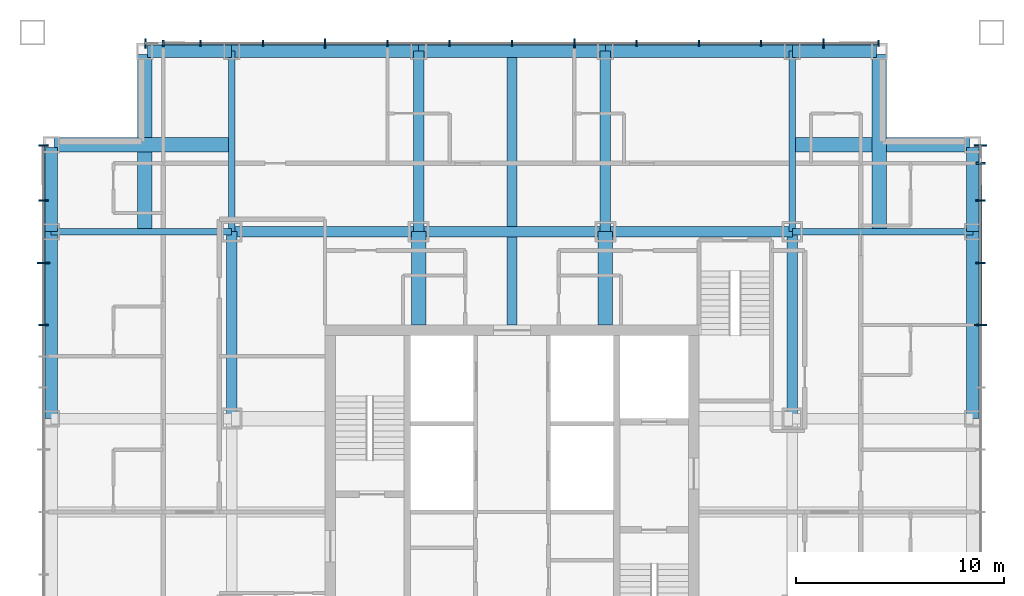
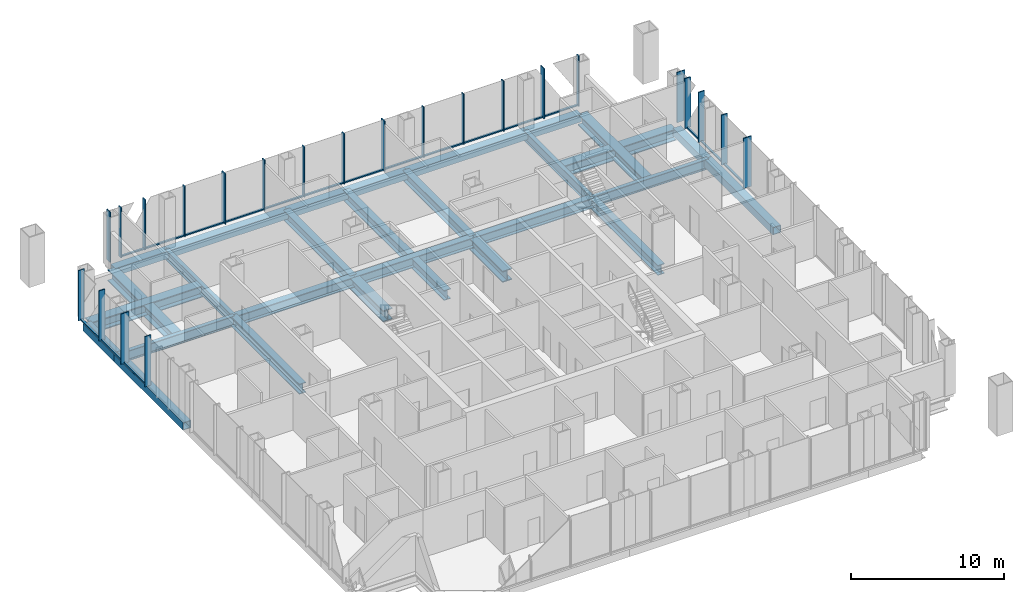
# One storey, part 4 of 15: 41 members, 27 beams, 3 elements without a shape of their own.
"""IFC4 building model written with IfcOpenShell, lengths in metres."""

import ifcopenshell
import ifcopenshell.guid

model = None  # the IFC model being written
_history = None  # IfcOwnerHistory: only IFC2X3 demands one
_inside = {}  # id of a spatial element -> (the spatial element, [elements in it])
_under = {}  # id of a project, library or spatial element -> (it, [spatial elements below it])
_declared = {}  # id of a project -> (the project, [libraries it declares])
_typed = {}  # id of a type object -> (the type object, [elements of that type])
_made_of = {}  # id of a material, layer set ... -> (it, [elements and type objects made of it])


def new_model(schema):
    """Start an empty IFC model of exactly this schema.

    Asked for "IFC4X3", IfcOpenShell would pick the latest addendum, in which some entities
    have other attributes; the version numbers below select the first issue.
    IFC2X3 requires an IfcOwnerHistory on every rooted entity: one is made here for all.
    """
    global model, _history
    if schema == "IFC4X3":
        model = ifcopenshell.file(schema_version=(4, 3, 0, 0))
    else:
        model = ifcopenshell.file(schema=schema)
    _inside.clear()
    _under.clear()
    _declared.clear()
    _typed.clear()
    _made_of.clear()
    _history = None
    if model.schema == "IFC2X3":
        org = make("IfcOrganization", Name="unknown")
        user = make(
            "IfcPersonAndOrganization",
            ThePerson=make("IfcPerson", FamilyName="unknown"),
            TheOrganization=org,
        )
        app = make(
            "IfcApplication",
            ApplicationDeveloper=org,
            Version="unknown",
            ApplicationFullName="unknown",
            ApplicationIdentifier="unknown",
        )
        _history = make(
            "IfcOwnerHistory",
            OwningUser=user,
            OwningApplication=app,
            ChangeAction="ADDED",
            CreationDate=0,
        )
    return model


def make(cls, **values):
    """One entity of the class cls with the attributes given. An attribute that is None is left unset."""
    return model.create_entity(
        cls, **{name: value for name, value in values.items() if value is not None}
    )


def rooted(cls, **values):
    """An entity with a GlobalId (a new one), such as an element, a storey or a relation."""
    return make(cls, GlobalId=ifcopenshell.guid.new(), OwnerHistory=_history, **values)


def si_unit(unit_type, name, prefix=None):
    """IfcSIUnit, for example si_unit("LENGTHUNIT", "METRE", prefix="MILLI")."""
    return make("IfcSIUnit", UnitType=unit_type, Prefix=prefix, Name=name)


def assignment(units):
    """IfcUnitAssignment: the units of a project."""
    return None if units is None else make("IfcUnitAssignment", Units=units)


def point(xyz):
    """IfcCartesianPoint."""
    return None if xyz is None else make("IfcCartesianPoint", Coordinates=xyz)


def direction(xyz):
    """IfcDirection."""
    return None if xyz is None else make("IfcDirection", DirectionRatios=xyz)


def frame(location, z_axis=None, x_axis=None):
    """IfcAxis2Placement3D, a coordinate frame: its origin and axes. An axis left out is left unset."""
    return make(
        "IfcAxis2Placement3D",
        Location=point(location),
        Axis=direction(z_axis),
        RefDirection=direction(x_axis),
    )


def frame_2d(location, x_axis=None):
    """IfcAxis2Placement2D, a coordinate frame in the plane: its origin and x axis."""
    return make(
        "IfcAxis2Placement2D", Location=point(location), RefDirection=direction(x_axis)
    )


def origin():
    """The frame at (0, 0, 0) with its axes left unset."""
    return frame((0.0, 0.0, 0.0))


def origin_2d():
    """The frame at (0, 0) in the plane with its x axis left unset."""
    return frame_2d((0.0, 0.0))


def place(relative_to, where):
    """IfcLocalPlacement: puts the frame where relative to a parent placement (None: the world)."""
    return make(
        "IfcLocalPlacement", PlacementRelTo=relative_to, RelativePlacement=where
    )


def context(
    kind, dimensions, precision=None, world=None, true_north=None, identifier=None
):
    """IfcGeometricRepresentationContext, for example the 3D "Model" context."""
    return make(
        "IfcGeometricRepresentationContext",
        ContextIdentifier=identifier,
        ContextType=kind,
        CoordinateSpaceDimension=dimensions,
        Precision=precision,
        WorldCoordinateSystem=world,
        TrueNorth=true_north,
    )


def subcontext(parent, identifier, kind, view, scale=None):
    """IfcGeometricRepresentationSubContext, for example "Body" below "Model"."""
    return make(
        "IfcGeometricRepresentationSubContext",
        ContextIdentifier=identifier,
        ContextType=kind,
        ParentContext=parent,
        TargetScale=scale,
        TargetView=view,
    )


def project(units=None, contexts=None):
    """IfcProject with its units and contexts."""
    return rooted(
        "IfcProject",
        Name="project",
        RepresentationContexts=contexts,
        UnitsInContext=assignment(units),
    )


def spatial(cls, under=None, at=None, **own):
    """A site, building, storey or space (cls), placed at a placement, below another one or the project."""
    s = rooted(cls, ObjectPlacement=at, **own)
    if under is not None:
        _under.setdefault(under.id(), (under, []))[1].append(s)
    return s


def profile(cls, at=None, kind="AREA", **sizes):
    """A parametric profile (cls). Its sizes go by their IFC names, for example OverallWidth=200.0."""
    return make(cls, ProfileType=kind, Position=at, **sizes)


def rectangle(**sizes):
    """IfcRectangleProfileDef."""
    return profile("IfcRectangleProfileDef", **sizes)


def hollow_rectangle(**sizes):
    """IfcRectangleHollowProfileDef."""
    return profile("IfcRectangleHollowProfileDef", **sizes)


def i_section(**sizes):
    """IfcIShapeProfileDef."""
    return profile("IfcIShapeProfileDef", **sizes)


def extrude(swept, where, along, depth):
    """IfcExtrudedAreaSolid: the profile swept, set in the frame where, extruded along a direction by depth."""
    return make(
        "IfcExtrudedAreaSolid",
        SweptArea=swept,
        Position=where,
        ExtrudedDirection=direction(along),
        Depth=depth,
    )


def shape(context_of_items, identifier, shape_type, items):
    """IfcShapeRepresentation: the items that make up one representation, for example the "Body"."""
    return make(
        "IfcShapeRepresentation",
        ContextOfItems=context_of_items,
        RepresentationIdentifier=identifier,
        RepresentationType=shape_type,
        Items=items,
    )


def material(Name=None, Category=None):
    """IfcMaterial."""
    return make("IfcMaterial", Name=Name, Category=Category)


def layer(
    of_material, thickness, ventilated=None, Name=None, Category=None, Priority=None
):
    """IfcMaterialLayer: one layer of a wall or slab, of a material (None: an air gap)."""
    return make(
        "IfcMaterialLayer",
        Material=of_material,
        LayerThickness=thickness,
        IsVentilated=ventilated,
        Name=Name,
        Category=Category,
        Priority=Priority,
    )


def layer_set(layers, Name=None):
    """IfcMaterialLayerSet."""
    return make("IfcMaterialLayerSet", MaterialLayers=layers, LayerSetName=Name)


def material_profile(
    of_material, cross_section, Name=None, Category=None, Priority=None
):
    """IfcMaterialProfile: a cross section and its material."""
    return make(
        "IfcMaterialProfile",
        Name=Name,
        Material=of_material,
        Profile=cross_section,
        Priority=Priority,
        Category=Category,
    )


def profile_set(profiles, Name=None, composite=None):
    """IfcMaterialProfileSet."""
    return make(
        "IfcMaterialProfileSet",
        Name=Name,
        MaterialProfiles=profiles,
        CompositeProfile=composite,
    )


def made_of(thing, what):
    """Note that an element or type object is made of a material, layer set ...; save() writes the relation."""
    if what is not None:
        _made_of.setdefault(what.id(), (what, []))[1].append(thing)
    return thing


def type_object(cls, material=None, **own):
    """A type object (cls), such as IfcWallType, which elements share."""
    return made_of(rooted(cls, **own), material)


def element(
    cls,
    number,
    at=None,
    inside=None,
    cuts=None,
    type_object=None,
    material=None,
    context=None,
    identifier="Body",
    shape_type=None,
    held_by="IfcProductDefinitionShape",
    body=None,
    shapes=None,
    **own,
):
    """One element of the class cls, such as IfcWall. Its Tag is "e" and its number.

    at: its placement. inside: the storey or other place that contains it. cuts: it is an
    opening in that element (IfcRelVoidsElement). A single representation is given by context,
    identifier, shape_type and body (its items); several are given by shapes. held_by: the class
    of the entity that holds the representations. save() writes the other relations.
    """
    e = rooted(cls, Tag="e%d" % number, ObjectPlacement=at, **own)
    if body is not None:
        shapes = [shape(context, identifier, shape_type, body)]
    if shapes is not None:
        e.Representation = make(held_by, Representations=shapes)
    if inside is not None:
        _inside.setdefault(inside.id(), (inside, []))[1].append(e)
    if cuts is not None:
        rooted(
            "IfcRelVoidsElement", RelatingBuildingElement=cuts, RelatedOpeningElement=e
        )
    if type_object is not None:
        _typed.setdefault(type_object.id(), (type_object, []))[1].append(e)
    return made_of(e, material)


def aggregate(whole, parts):
    """IfcRelAggregates: a whole, such as a stair, and the parts it consists of."""
    return rooted("IfcRelAggregates", RelatingObject=whole, RelatedObjects=parts)


def save(model, path):
    """Write the relations noted so far, then the file.

    IfcRelAggregates (storeys below a building ...), IfcRelContainedInSpatialStructure (elements
    in a storey), IfcRelDefinesByType, IfcRelAssociatesMaterial and IfcRelDeclares: one each for
    every whole, place, type object, material and project.
    """
    for whole, parts in _under.values():
        aggregate(whole, parts)
    for where, things in _inside.values():
        rooted(
            "IfcRelContainedInSpatialStructure",
            RelatedElements=things,
            RelatingStructure=where,
        )
    for kind, things in _typed.values():
        rooted("IfcRelDefinesByType", RelatedObjects=things, RelatingType=kind)
    for what, things in _made_of.values():
        rooted("IfcRelAssociatesMaterial", RelatedObjects=things, RelatingMaterial=what)
    for by, libraries in _declared.values():
        rooted("IfcRelDeclares", RelatingContext=by, RelatedDefinitions=libraries)
    model.write(path)


model = new_model("IFC4")

# Units and contexts
model_context = context("Model", 3, precision=1e-05, world=origin(), true_north=direction((0.0, 1.0)))
body_context = subcontext(model_context, "Body", "Model", "MODEL_VIEW")
ifc_project = project(units=[si_unit("LENGTHUNIT", "METRE"), si_unit("AREAUNIT", "SQUARE_METRE"), si_unit("VOLUMEUNIT", "CUBIC_METRE"), si_unit("PLANEANGLEUNIT", "RADIAN"), si_unit("MASSUNIT", "GRAM", prefix="KILO")], contexts=[model_context])

# Site, building, storey
site_placement = place(None, origin())
site = spatial("IfcSite", under=ifc_project, at=site_placement, CompositionType="ELEMENT")
building_placement = place(site_placement, origin())
building = spatial("IfcBuilding", under=site, at=building_placement, Name="Malebo Sky Hospital", CompositionType="ELEMENT")
storey_placement = place(building_placement, frame((0.0, 0.0, 217.0)))
storey = spatial("IfcBuildingStorey", under=building, at=storey_placement, Name="L52", CompositionType="ELEMENT", Elevation=217.0)

# Curtain wall, members
ifc_material_1 = material(Name="Anodised aluminium, natural silver", Category="aluminium")
ifc_layer_1 = layer(ifc_material_1, 0.25)
ifc_layer_set_1 = layer_set([ifc_layer_1], Name="WARD CURTAIN WALL NORTH AND SOUTH")
curtain_wall_type_1 = type_object("IfcCurtainWallType", Name="WARD CURTAIN WALL NORTH AND SOUTH", PredefinedType="NOTDEFINED", material=ifc_layer_set_1)
curtain_wall_1_placement = place(storey_placement, origin())
curtain_wall_1 = element("IfcCurtainWall", 1, at=curtain_wall_1_placement, inside=storey, type_object=curtain_wall_type_1, Name="NS curtain wall N", PredefinedType="NOTDEFINED")
ifc_material_profile_1 = material_profile(ifc_material_1, rectangle(XDim=0.14990234375, YDim=0.10009765625, at=origin_2d()), Name="ALUMINIUM TRANSOM 150x100")
ifc_profile_set_1 = profile_set([ifc_material_profile_1], Name="Anodised aluminium, natural silver")
member_type_1 = type_object("IfcMemberType", Name="ALUMINIUM TRANSOM 150x100", PredefinedType="USERDEFINED", material=ifc_profile_set_1)
member_1_placement = place(storey_placement, frame((43.237548828125, 84.574951171875, 0.050048828125), z_axis=(1.0, 0.0, 0.0), x_axis=(0.0, 1.0, 0.0)))
member_1 = element("IfcMember", 2, at=member_1_placement, type_object=member_type_1, Name="Transom 2", ObjectType="TRANSOM", PredefinedType="USERDEFINED", context=body_context, shape_type="SweptSolid", body=[
    extrude(rectangle(XDim=0.14990234375, YDim=0.10009765625, at=origin_2d()), origin(), (0.0, 0.0, 1.0), 1.724853515625),
])
member_2_placement = place(storey_placement, frame((45.03759765625, 84.574951171875, 0.050048828125), z_axis=(1.0, 0.0, 0.0), x_axis=(0.0, 1.0, 0.0)))
member_2 = element("IfcMember", 3, at=member_2_placement, type_object=member_type_1, Name="Transom 3", ObjectType="TRANSOM", PredefinedType="USERDEFINED", context=body_context, shape_type="SweptSolid", body=[
    extrude(rectangle(XDim=0.14990234375, YDim=0.10009765625, at=origin_2d()), origin(), (0.0, 0.0, 1.0), 2.9248046875),
])
member_3_placement = place(storey_placement, frame((48.03759765625, 84.574951171875, 0.050048828125), z_axis=(1.0, 0.0, 0.0), x_axis=(0.0, 1.0, 0.0)))
member_3 = element("IfcMember", 4, at=member_3_placement, type_object=member_type_1, Name="Transom 4", ObjectType="TRANSOM", PredefinedType="USERDEFINED", context=body_context, shape_type="SweptSolid", body=[
    extrude(rectangle(XDim=0.14990234375, YDim=0.10009765625, at=origin_2d()), origin(), (0.0, 0.0, 1.0), 2.9248046875),
])
member_4_placement = place(storey_placement, frame((51.03759765625, 84.574951171875, 0.050048828125), z_axis=(1.0, 0.0, 0.0), x_axis=(0.0, 1.0, 0.0)))
member_4 = element("IfcMember", 5, at=member_4_placement, type_object=member_type_1, Name="Transom 5", ObjectType="TRANSOM", PredefinedType="USERDEFINED", context=body_context, shape_type="SweptSolid", body=[
    extrude(rectangle(XDim=0.14990234375, YDim=0.10009765625, at=origin_2d()), origin(), (0.0, 0.0, 1.0), 2.9248046875),
])
member_5_placement = place(storey_placement, frame((54.03759765625, 84.574951171875, 0.050048828125), z_axis=(1.0, 0.0, 0.0), x_axis=(0.0, 1.0, 0.0)))
member_5 = element("IfcMember", 6, at=member_5_placement, type_object=member_type_1, Name="Transom 6", ObjectType="TRANSOM", PredefinedType="USERDEFINED", context=body_context, shape_type="SweptSolid", body=[
    extrude(rectangle(XDim=0.14990234375, YDim=0.10009765625, at=origin_2d()), origin(), (0.0, 0.0, 1.0), 2.9248046875),
])
member_6_placement = place(storey_placement, frame((57.03759765625, 84.574951171875, 0.050048828125), z_axis=(1.0, 0.0, 0.0), x_axis=(0.0, 1.0, 0.0)))
member_6 = element("IfcMember", 7, at=member_6_placement, type_object=member_type_1, Name="Transom 7", ObjectType="TRANSOM", PredefinedType="USERDEFINED", context=body_context, shape_type="SweptSolid", body=[
    extrude(rectangle(XDim=0.14990234375, YDim=0.10009765625, at=origin_2d()), origin(), (0.0, 0.0, 1.0), 2.9248046875),
])
member_7_placement = place(storey_placement, frame((60.03759765625, 84.574951171875, 0.050048828125), z_axis=(1.0, 0.0, 0.0), x_axis=(0.0, 1.0, 0.0)))
member_7 = element("IfcMember", 8, at=member_7_placement, type_object=member_type_1, Name="Transom 8", ObjectType="TRANSOM", PredefinedType="USERDEFINED", context=body_context, shape_type="SweptSolid", body=[
    extrude(rectangle(XDim=0.14990234375, YDim=0.10009765625, at=origin_2d()), origin(), (0.0, 0.0, 1.0), 2.9248046875),
])
member_8_placement = place(storey_placement, frame((63.03759765625, 84.574951171875, 0.050048828125), z_axis=(1.0, 0.0, 0.0), x_axis=(0.0, 1.0, 0.0)))
member_8 = element("IfcMember", 9, at=member_8_placement, type_object=member_type_1, Name="Transom 9", ObjectType="TRANSOM", PredefinedType="USERDEFINED", context=body_context, shape_type="SweptSolid", body=[
    extrude(rectangle(XDim=0.14990234375, YDim=0.10009765625, at=origin_2d()), origin(), (0.0, 0.0, 1.0), 2.9248046875),
])
member_9_placement = place(storey_placement, frame((66.03759765625, 84.574951171875, 0.050048828125), z_axis=(1.0, 0.0, 0.0), x_axis=(0.0, 1.0, 0.0)))
member_9 = element("IfcMember", 10, at=member_9_placement, type_object=member_type_1, Name="Transom 10", ObjectType="TRANSOM", PredefinedType="USERDEFINED", context=body_context, shape_type="SweptSolid", body=[
    extrude(rectangle(XDim=0.14990234375, YDim=0.10009765625, at=origin_2d()), origin(), (0.0, 0.0, 1.0), 2.9248046875),
])
member_10_placement = place(storey_placement, frame((69.03759765625, 84.574951171875, 0.050048828125), z_axis=(1.0, 0.0, 0.0), x_axis=(0.0, 1.0, 0.0)))
member_10 = element("IfcMember", 11, at=member_10_placement, type_object=member_type_1, Name="Transom 11", ObjectType="TRANSOM", PredefinedType="USERDEFINED", context=body_context, shape_type="SweptSolid", body=[
    extrude(rectangle(XDim=0.14990234375, YDim=0.10009765625, at=origin_2d()), origin(), (0.0, 0.0, 1.0), 2.9248046875),
])
member_11_placement = place(storey_placement, frame((72.03759765625, 84.574951171875, 0.050048828125), z_axis=(1.0, 0.0, 0.0), x_axis=(0.0, 1.0, 0.0)))
member_11 = element("IfcMember", 12, at=member_11_placement, type_object=member_type_1, Name="Transom 12", ObjectType="TRANSOM", PredefinedType="USERDEFINED", context=body_context, shape_type="SweptSolid", body=[
    extrude(rectangle(XDim=0.14990234375, YDim=0.10009765625, at=origin_2d()), origin(), (0.0, 0.0, 1.0), 2.9248046875),
])
member_12_placement = place(storey_placement, frame((75.03759765625, 84.574951171875, 0.050048828125), z_axis=(1.0, 0.0, 0.0), x_axis=(0.0, 1.0, 0.0)))
member_12 = element("IfcMember", 13, at=member_12_placement, type_object=member_type_1, Name="Transom 13", ObjectType="TRANSOM", PredefinedType="USERDEFINED", context=body_context, shape_type="SweptSolid", body=[
    extrude(rectangle(XDim=0.14990234375, YDim=0.10009765625, at=origin_2d()), origin(), (0.0, 0.0, 1.0), 2.58740234375),
])

ifc_layer_2 = layer(ifc_material_1, 0.25)
ifc_layer_set_2 = layer_set([ifc_layer_2], Name="WARD CURTAIN WALL EAST AND WEST")
curtain_wall_type_2 = type_object("IfcCurtainWallType", Name="WARD CURTAIN WALL EAST AND WEST", PredefinedType="NOTDEFINED", material=ifc_layer_set_2)
curtain_wall_2_placement = place(storey_placement, origin())
curtain_wall_2 = element("IfcCurtainWall", 14, at=curtain_wall_2_placement, inside=storey, type_object=curtain_wall_type_2, Name="EW curtain wall W", PredefinedType="NOTDEFINED")
member_13_placement = place(storey_placement, frame((37.425048828125, 71.03759765625, 0.050048828125), z_axis=(0.0, 1.0, 0.0), x_axis=(-1.0, 0.0, 0.0)))
member_13 = element("IfcMember", 15, at=member_13_placement, type_object=member_type_1, Name="Transom 12", ObjectType="TRANSOM", PredefinedType="USERDEFINED", context=body_context, shape_type="SweptSolid", body=[
    extrude(rectangle(XDim=0.14990234375, YDim=0.10009765625, at=origin_2d()), origin(), (0.0, 0.0, 1.0), 2.9248046875),
])
member_14_placement = place(storey_placement, frame((37.425048828125, 74.03759765625, 0.050048828125), z_axis=(0.0, 1.0, 0.0), x_axis=(-1.0, 0.0, 0.0)))
member_14 = element("IfcMember", 16, at=member_14_placement, type_object=member_type_1, Name="Transom 13", ObjectType="TRANSOM", PredefinedType="USERDEFINED", context=body_context, shape_type="SweptSolid", body=[
    extrude(rectangle(XDim=0.14990234375, YDim=0.10009765625, at=origin_2d()), origin(), (0.0, 0.0, 1.0), 2.9248046875),
])
member_15_placement = place(storey_placement, frame((37.425048828125, 77.03759765625, 0.050048828125), z_axis=(0.0, 1.0, 0.0), x_axis=(-1.0, 0.0, 0.0)))
member_15 = element("IfcMember", 17, at=member_15_placement, type_object=member_type_1, Name="Transom 14", ObjectType="TRANSOM", PredefinedType="USERDEFINED", context=body_context, shape_type="SweptSolid", body=[
    extrude(rectangle(XDim=0.14990234375, YDim=0.10009765625, at=origin_2d()), origin(), (0.0, 0.0, 1.0), 2.58740234375),
])

curtain_wall_3_placement = place(storey_placement, origin())
curtain_wall_3 = element("IfcCurtainWall", 18, at=curtain_wall_3_placement, inside=storey, type_object=curtain_wall_type_2, Name="EW curtain wall E", PredefinedType="NOTDEFINED")
member_16_placement = place(storey_placement, frame((82.574951171875, 78.762451171875, 0.050048828125), z_axis=(0.0, -1.0, 0.0), x_axis=(1.0, 0.0, 0.0)))
member_16 = element("IfcMember", 19, at=member_16_placement, type_object=member_type_1, Name="Transom 2", ObjectType="TRANSOM", PredefinedType="USERDEFINED", context=body_context, shape_type="SweptSolid", body=[
    extrude(rectangle(XDim=0.14990234375, YDim=0.10009765625, at=origin_2d()), origin(), (0.0, 0.0, 1.0), 1.724853515625),
])
member_17_placement = place(storey_placement, frame((82.574951171875, 76.96240234375, 0.050048828125), z_axis=(0.0, -1.0, 0.0), x_axis=(1.0, 0.0, 0.0)))
member_17 = element("IfcMember", 20, at=member_17_placement, type_object=member_type_1, Name="Transom 3", ObjectType="TRANSOM", PredefinedType="USERDEFINED", context=body_context, shape_type="SweptSolid", body=[
    extrude(rectangle(XDim=0.14990234375, YDim=0.10009765625, at=origin_2d()), origin(), (0.0, 0.0, 1.0), 2.9248046875),
])
member_18_placement = place(storey_placement, frame((82.574951171875, 73.96240234375, 0.050048828125), z_axis=(0.0, -1.0, 0.0), x_axis=(1.0, 0.0, 0.0)))
member_18 = element("IfcMember", 21, at=member_18_placement, type_object=member_type_1, Name="Transom 4", ObjectType="TRANSOM", PredefinedType="USERDEFINED", context=body_context, shape_type="SweptSolid", body=[
    extrude(rectangle(XDim=0.14990234375, YDim=0.10009765625, at=origin_2d()), origin(), (0.0, 0.0, 1.0), 2.9248046875),
])

# Member
ifc_material_profile_2 = material_profile(ifc_material_1, rectangle(XDim=0.074951171875, YDim=0.300048828125, at=origin_2d()), Name="CW1 ALUMINIUM FIN MULLION 75x300")
ifc_profile_set_2 = profile_set([ifc_material_profile_2], Name="Anodised aluminium, natural silver")
member_type_2 = type_object("IfcMemberType", Name="CW1 ALUMINIUM FIN MULLION 75x300", PredefinedType="MULLION", material=ifc_profile_set_2)
member_19_placement = place(storey_placement, frame((43.199951171875, 84.574951171875, 0.0), z_axis=(0.0, 0.0, 1.0), x_axis=(1.0, 0.0, 0.0)))
member_19 = element("IfcMember", 22, at=member_19_placement, type_object=member_type_2, Name="Fin mullion 2", PredefinedType="MULLION", context=body_context, shape_type="SweptSolid", body=[
    extrude(rectangle(XDim=0.074951171875, YDim=0.300048828125, at=origin_2d()), origin(), (0.0, 0.0, 1.0), 4.0),
])

member_20_placement = place(storey_placement, frame((45.0, 84.574951171875, 0.0), z_axis=(0.0, 0.0, 1.0), x_axis=(1.0, 0.0, 0.0)))
member_20 = element("IfcMember", 23, at=member_20_placement, type_object=member_type_2, Name="Fin mullion 3", PredefinedType="MULLION", context=body_context, shape_type="SweptSolid", body=[
    extrude(rectangle(XDim=0.074951171875, YDim=0.300048828125, at=origin_2d()), origin(), (0.0, 0.0, 1.0), 4.0),
])

member_21_placement = place(storey_placement, frame((48.0, 84.574951171875, 0.0), z_axis=(0.0, 0.0, 1.0), x_axis=(1.0, 0.0, 0.0)))
member_21 = element("IfcMember", 24, at=member_21_placement, type_object=member_type_2, Name="Fin mullion 4", PredefinedType="MULLION", context=body_context, shape_type="SweptSolid", body=[
    extrude(rectangle(XDim=0.074951171875, YDim=0.300048828125, at=origin_2d()), origin(), (0.0, 0.0, 1.0), 4.0),
])

member_22_placement = place(storey_placement, frame((54.0, 84.574951171875, 0.0), z_axis=(0.0, 0.0, 1.0), x_axis=(1.0, 0.0, 0.0)))
member_22 = element("IfcMember", 25, at=member_22_placement, type_object=member_type_2, Name="Fin mullion 6", PredefinedType="MULLION", context=body_context, shape_type="SweptSolid", body=[
    extrude(rectangle(XDim=0.074951171875, YDim=0.300048828125, at=origin_2d()), origin(), (0.0, 0.0, 1.0), 4.0),
])

member_23_placement = place(storey_placement, frame((57.0, 84.574951171875, 0.0), z_axis=(0.0, 0.0, 1.0), x_axis=(1.0, 0.0, 0.0)))
member_23 = element("IfcMember", 26, at=member_23_placement, type_object=member_type_2, Name="Fin mullion 7", PredefinedType="MULLION", context=body_context, shape_type="SweptSolid", body=[
    extrude(rectangle(XDim=0.074951171875, YDim=0.300048828125, at=origin_2d()), origin(), (0.0, 0.0, 1.0), 4.0),
])

member_24_placement = place(storey_placement, frame((60.0, 84.574951171875, 0.0), z_axis=(0.0, 0.0, 1.0), x_axis=(1.0, 0.0, 0.0)))
member_24 = element("IfcMember", 27, at=member_24_placement, type_object=member_type_2, Name="Fin mullion 8", PredefinedType="MULLION", context=body_context, shape_type="SweptSolid", body=[
    extrude(rectangle(XDim=0.074951171875, YDim=0.300048828125, at=origin_2d()), origin(), (0.0, 0.0, 1.0), 4.0),
])

member_25_placement = place(storey_placement, frame((66.0, 84.574951171875, 0.0), z_axis=(0.0, 0.0, 1.0), x_axis=(1.0, 0.0, 0.0)))
member_25 = element("IfcMember", 28, at=member_25_placement, type_object=member_type_2, Name="Fin mullion 10", PredefinedType="MULLION", context=body_context, shape_type="SweptSolid", body=[
    extrude(rectangle(XDim=0.074951171875, YDim=0.300048828125, at=origin_2d()), origin(), (0.0, 0.0, 1.0), 4.0),
])

member_26_placement = place(storey_placement, frame((69.0, 84.574951171875, 0.0), z_axis=(0.0, 0.0, 1.0), x_axis=(1.0, 0.0, 0.0)))
member_26 = element("IfcMember", 29, at=member_26_placement, type_object=member_type_2, Name="Fin mullion 11", PredefinedType="MULLION", context=body_context, shape_type="SweptSolid", body=[
    extrude(rectangle(XDim=0.074951171875, YDim=0.300048828125, at=origin_2d()), origin(), (0.0, 0.0, 1.0), 4.0),
])

member_27_placement = place(storey_placement, frame((72.0, 84.574951171875, 0.0), z_axis=(0.0, 0.0, 1.0), x_axis=(1.0, 0.0, 0.0)))
member_27 = element("IfcMember", 30, at=member_27_placement, type_object=member_type_2, Name="Fin mullion 12", PredefinedType="MULLION", context=body_context, shape_type="SweptSolid", body=[
    extrude(rectangle(XDim=0.074951171875, YDim=0.300048828125, at=origin_2d()), origin(), (0.0, 0.0, 1.0), 4.0),
])

member_28_placement = place(storey_placement, frame((77.66259765625, 84.574951171875, 0.0), z_axis=(0.0, 0.0, 1.0), x_axis=(1.0, 0.0, 0.0)))
member_28 = element("IfcMember", 31, at=member_28_placement, type_object=member_type_2, Name="Fin mullion 14", PredefinedType="MULLION", context=body_context, shape_type="SweptSolid", body=[
    extrude(rectangle(XDim=0.074951171875, YDim=0.300048828125, at=origin_2d()), origin(), (0.0, 0.0, 1.0), 4.0),
])

ifc_material_profile_3 = material_profile(ifc_material_1, rectangle(XDim=0.074951171875, YDim=0.449951171875, at=origin_2d()), Name="CW1 ALUMINIUM FIN MULLION 75x450")
ifc_profile_set_3 = profile_set([ifc_material_profile_3], Name="Anodised aluminium, natural silver")
member_type_3 = type_object("IfcMemberType", Name="CW1 ALUMINIUM FIN MULLION 75x450", PredefinedType="MULLION", material=ifc_profile_set_3)
member_29_placement = place(storey_placement, frame((42.33740234375, 84.574951171875, 0.0), z_axis=(0.0, 0.0, 1.0), x_axis=(1.0, 0.0, 0.0)))
member_29 = element("IfcMember", 32, at=member_29_placement, type_object=member_type_3, Name="Fin mullion 1", PredefinedType="MULLION", context=body_context, shape_type="SweptSolid", body=[
    extrude(rectangle(XDim=0.074951171875, YDim=0.449951171875, at=origin_2d()), origin(), (0.0, 0.0, 1.0), 4.0),
])

member_30_placement = place(storey_placement, frame((51.0, 84.574951171875, 0.0), z_axis=(0.0, 0.0, 1.0), x_axis=(1.0, 0.0, 0.0)))
member_30 = element("IfcMember", 33, at=member_30_placement, type_object=member_type_3, Name="Fin mullion 5", PredefinedType="MULLION", context=body_context, shape_type="SweptSolid", body=[
    extrude(rectangle(XDim=0.074951171875, YDim=0.449951171875, at=origin_2d()), origin(), (0.0, 0.0, 1.0), 4.0),
])

member_31_placement = place(storey_placement, frame((63.0, 84.574951171875, 0.0), z_axis=(0.0, 0.0, 1.0), x_axis=(1.0, 0.0, 0.0)))
member_31 = element("IfcMember", 34, at=member_31_placement, type_object=member_type_3, Name="Fin mullion 9", PredefinedType="MULLION", context=body_context, shape_type="SweptSolid", body=[
    extrude(rectangle(XDim=0.074951171875, YDim=0.449951171875, at=origin_2d()), origin(), (0.0, 0.0, 1.0), 4.0),
])

member_32_placement = place(storey_placement, frame((75.0, 84.574951171875, 0.0), z_axis=(0.0, 0.0, 1.0), x_axis=(1.0, 0.0, 0.0)))
member_32 = element("IfcMember", 35, at=member_32_placement, type_object=member_type_3, Name="Fin mullion 13", PredefinedType="MULLION", context=body_context, shape_type="SweptSolid", body=[
    extrude(rectangle(XDim=0.074951171875, YDim=0.449951171875, at=origin_2d()), origin(), (0.0, 0.0, 1.0), 4.0),
])

aggregate(curtain_wall_1, [member_29, member_19, member_20, member_21, member_30, member_22, member_23, member_24, member_31, member_25, member_26, member_27, member_32, member_28, member_1, member_2, member_3, member_4, member_5, member_6, member_7, member_8, member_9, member_10, member_11, member_12])

ifc_material_profile_4 = material_profile(ifc_material_1, rectangle(XDim=0.074951171875, YDim=0.449951171875, at=origin_2d()), Name="CW2 ALUMINIUM FIN MULLION 75x450")
ifc_profile_set_4 = profile_set([ifc_material_profile_4], Name="Anodised aluminium, natural silver")
member_type_4 = type_object("IfcMemberType", Name="CW2 ALUMINIUM FIN MULLION 75x450", PredefinedType="MULLION", material=ifc_profile_set_4)
member_33_placement = place(storey_placement, frame((37.425048828125, 71.0, 0.0), z_axis=(0.0, 0.0, 1.0), x_axis=(0.0, 1.0, 0.0)))
member_33 = element("IfcMember", 36, at=member_33_placement, type_object=member_type_4, Name="Fin mullion 12", PredefinedType="MULLION", context=body_context, shape_type="SweptSolid", body=[
    extrude(rectangle(XDim=0.074951171875, YDim=0.449951171875, at=origin_2d()), origin(), (0.0, 0.0, 1.0), 4.0),
])

member_34_placement = place(storey_placement, frame((37.425048828125, 77.0, 0.0), z_axis=(0.0, 0.0, 1.0), x_axis=(0.0, 1.0, 0.0)))
member_34 = element("IfcMember", 37, at=member_34_placement, type_object=member_type_4, Name="Fin mullion 14", PredefinedType="MULLION", context=body_context, shape_type="SweptSolid", body=[
    extrude(rectangle(XDim=0.074951171875, YDim=0.449951171875, at=origin_2d()), origin(), (0.0, 0.0, 1.0), 4.0),
])

member_35_placement = place(storey_placement, frame((37.425048828125, 79.66259765625, 0.0), z_axis=(0.0, 0.0, 1.0), x_axis=(0.0, 1.0, 0.0)))
member_35 = element("IfcMember", 38, at=member_35_placement, type_object=member_type_4, Name="Fin mullion 15", PredefinedType="MULLION", context=body_context, shape_type="SweptSolid", body=[
    extrude(rectangle(XDim=0.074951171875, YDim=0.449951171875, at=origin_2d()), origin(), (0.0, 0.0, 1.0), 4.0),
])

member_36_placement = place(storey_placement, frame((82.574951171875, 78.800048828125, 0.0), z_axis=(0.0, 0.0, 1.0), x_axis=(0.0, -1.0, 0.0)))
member_36 = element("IfcMember", 39, at=member_36_placement, type_object=member_type_4, Name="Fin mullion 2", PredefinedType="MULLION", context=body_context, shape_type="SweptSolid", body=[
    extrude(rectangle(XDim=0.074951171875, YDim=0.449951171875, at=origin_2d()), origin(), (0.0, 0.0, 1.0), 4.0),
])

member_37_placement = place(storey_placement, frame((82.574951171875, 77.0, 0.0), z_axis=(0.0, 0.0, 1.0), x_axis=(0.0, -1.0, 0.0)))
member_37 = element("IfcMember", 40, at=member_37_placement, type_object=member_type_4, Name="Fin mullion 3", PredefinedType="MULLION", context=body_context, shape_type="SweptSolid", body=[
    extrude(rectangle(XDim=0.074951171875, YDim=0.449951171875, at=origin_2d()), origin(), (0.0, 0.0, 1.0), 4.0),
])

member_38_placement = place(storey_placement, frame((82.574951171875, 74.0, 0.0), z_axis=(0.0, 0.0, 1.0), x_axis=(0.0, -1.0, 0.0)))
member_38 = element("IfcMember", 41, at=member_38_placement, type_object=member_type_4, Name="Fin mullion 4", PredefinedType="MULLION", context=body_context, shape_type="SweptSolid", body=[
    extrude(rectangle(XDim=0.074951171875, YDim=0.449951171875, at=origin_2d()), origin(), (0.0, 0.0, 1.0), 4.0),
])

ifc_material_profile_5 = material_profile(ifc_material_1, rectangle(XDim=0.074951171875, YDim=0.60009765625, at=origin_2d()), Name="CW2 ALUMINIUM FIN MULLION 75x600")
ifc_profile_set_5 = profile_set([ifc_material_profile_5], Name="Anodised aluminium, natural silver")
member_type_5 = type_object("IfcMemberType", Name="CW2 ALUMINIUM FIN MULLION 75x600", PredefinedType="MULLION", material=ifc_profile_set_5)
member_39_placement = place(storey_placement, frame((37.425048828125, 74.0, 0.0), z_axis=(0.0, 0.0, 1.0), x_axis=(0.0, 1.0, 0.0)))
member_39 = element("IfcMember", 42, at=member_39_placement, type_object=member_type_5, Name="Fin mullion 13", PredefinedType="MULLION", context=body_context, shape_type="SweptSolid", body=[
    extrude(rectangle(XDim=0.074951171875, YDim=0.60009765625, at=origin_2d()), origin(), (0.0, 0.0, 1.0), 4.0),
])

aggregate(curtain_wall_2, [member_33, member_39, member_34, member_35, member_13, member_14, member_15])

member_40_placement = place(storey_placement, frame((82.574951171875, 79.66259765625, 0.0), z_axis=(0.0, 0.0, 1.0), x_axis=(0.0, -1.0, 0.0)))
member_40 = element("IfcMember", 43, at=member_40_placement, type_object=member_type_5, Name="Fin mullion 1", PredefinedType="MULLION", context=body_context, shape_type="SweptSolid", body=[
    extrude(rectangle(XDim=0.074951171875, YDim=0.60009765625, at=origin_2d()), origin(), (0.0, 0.0, 1.0), 4.0),
])

member_41_placement = place(storey_placement, frame((82.574951171875, 71.0, 0.0), z_axis=(0.0, 0.0, 1.0), x_axis=(0.0, -1.0, 0.0)))
member_41 = element("IfcMember", 44, at=member_41_placement, type_object=member_type_5, Name="Fin mullion 5", PredefinedType="MULLION", context=body_context, shape_type="SweptSolid", body=[
    extrude(rectangle(XDim=0.074951171875, YDim=0.60009765625, at=origin_2d()), origin(), (0.0, 0.0, 1.0), 4.0),
])

aggregate(curtain_wall_3, [member_40, member_36, member_37, member_38, member_41, member_16, member_17, member_18])

# Beams
ifc_material_2 = material(Name="Steel S460", Category="steel")
ifc_material_profile_6 = material_profile(ifc_material_2, hollow_rectangle(XDim=0.60009765625, YDim=0.60009765625, WallThickness=0.0400390625, at=origin_2d()), Name="BOX 600x600x40")
ifc_profile_set_6 = profile_set([ifc_material_profile_6], Name="Steel S460")
beam_type_1 = type_object("IfcBeamType", Name="EDGE BEAM BOX 600x600x40", PredefinedType="BEAM", material=ifc_profile_set_6)
beam_1_placement = place(storey_placement, frame((37.800048828125, 66.5, -0.550048828125), z_axis=(0.0, 1.0, 0.0), x_axis=(-1.0, 0.0, 0.0)))
element("IfcBeam", 45, at=beam_1_placement, inside=storey, type_object=beam_type_1, Name="Beam 003 L52", PredefinedType="BEAM", context=body_context, shape_type="SweptSolid", body=[
    extrude(hollow_rectangle(XDim=0.60009765625, YDim=0.60009765625, WallThickness=0.0400390625, at=origin_2d()), origin(), (0.0, 0.0, 1.0), 9.0),
])
beam_2_placement = place(storey_placement, frame((37.800048828125, 75.5, -0.550048828125), z_axis=(0.0, 1.0, 0.0), x_axis=(-1.0, 0.0, 0.0)))
element("IfcBeam", 46, at=beam_2_placement, inside=storey, type_object=beam_type_1, Name="Beam 004 L52", PredefinedType="BEAM", context=body_context, shape_type="SweptSolid", body=[
    extrude(hollow_rectangle(XDim=0.60009765625, YDim=0.60009765625, WallThickness=0.0400390625, at=origin_2d()), origin(), (0.0, 0.0, 1.0), 4.050048828125),
])
beam_3_placement = place(storey_placement, frame((82.199951171875, 66.5, -0.550048828125), z_axis=(0.0, 1.0, 0.0), x_axis=(-1.0, 0.0, 0.0)))
element("IfcBeam", 47, at=beam_3_placement, inside=storey, type_object=beam_type_1, Name="Beam 032 L52", PredefinedType="BEAM", context=body_context, shape_type="SweptSolid", body=[
    extrude(hollow_rectangle(XDim=0.60009765625, YDim=0.60009765625, WallThickness=0.0400390625, at=origin_2d()), origin(), (0.0, 0.0, 1.0), 9.0),
])
for number, where, z_axis, x_axis, name in (
    (48, (82.199951171875, 75.5, -0.550048828125), (0.0, 1.0, 0.0), (-1.0, 0.0, 0.0), "Beam 033 L52"),
    (49, (42.449951171875, 84.199951171875, -0.550048828125), (1.0, 0.0, 0.0), (0.0, 1.0, 0.0), "Beam 063 L52"),
):
    element("IfcBeam", number, at=place(storey_placement, frame(where, z_axis=z_axis, x_axis=x_axis)), inside=storey, type_object=beam_type_1, Name=name, PredefinedType="BEAM", context=body_context, shape_type="SweptSolid", body=[
        extrude(hollow_rectangle(XDim=0.60009765625, YDim=0.60009765625, WallThickness=0.0400390625, at=origin_2d()), origin(), (0.0, 0.0, 1.0), 4.050048828125),
    ])
for number, where, z_axis, x_axis, name in (
    (50, (46.5, 84.199951171875, -0.550048828125), (1.0, 0.0, 0.0), (0.0, 1.0, 0.0), "Beam 064 L52"),
    (51, (55.5, 84.199951171875, -0.550048828125), (1.0, 0.0, 0.0), (0.0, 1.0, 0.0), "Beam 065 L52"),
    (52, (64.5, 84.199951171875, -0.550048828125), (1.0, 0.0, 0.0), (0.0, 1.0, 0.0), "Beam 066 L52"),
):
    element("IfcBeam", number, at=place(storey_placement, frame(where, z_axis=z_axis, x_axis=x_axis)), inside=storey, type_object=beam_type_1, Name=name, PredefinedType="BEAM", context=body_context, shape_type="SweptSolid", body=[
        extrude(hollow_rectangle(XDim=0.60009765625, YDim=0.60009765625, WallThickness=0.0400390625, at=origin_2d()), origin(), (0.0, 0.0, 1.0), 9.0),
    ])
beam_4_placement = place(storey_placement, frame((73.5, 84.199951171875, -0.550048828125), z_axis=(1.0, 0.0, 0.0), x_axis=(0.0, 1.0, 0.0)))
element("IfcBeam", 53, at=beam_4_placement, inside=storey, type_object=beam_type_1, Name="Beam 067 L52", PredefinedType="BEAM", context=body_context, shape_type="SweptSolid", body=[
    extrude(hollow_rectangle(XDim=0.60009765625, YDim=0.60009765625, WallThickness=0.0400390625, at=origin_2d()), origin(), (0.0, 0.0, 1.0), 4.050048828125),
])
ifc_material_3 = material(Name="Steel S355", Category="steel")
ifc_material_profile_7 = material_profile(ifc_material_3, i_section(OverallWidth=0.5, OverallDepth=0.800048828125, WebThickness=0.030029296875, FlangeThickness=0.050048828125, at=origin_2d()), Name="PG 800x500x30x50")
ifc_profile_set_7 = profile_set([ifc_material_profile_7], Name="Steel S355")
beam_type_2 = type_object("IfcBeamType", Name="FLOOR BEAM PG 800x500x30x50", PredefinedType="BEAM", material=ifc_profile_set_7)
beam_5_placement = place(storey_placement, frame((46.5, 66.5, -0.64990234375), z_axis=(0.0, 1.0, 0.0), x_axis=(-1.0, 0.0, 0.0)))
element("IfcBeam", 54, at=beam_5_placement, inside=storey, type_object=beam_type_2, Name="Beam 010 L52", PredefinedType="BEAM", context=body_context, shape_type="SweptSolid", body=[
    extrude(i_section(OverallWidth=0.5, OverallDepth=0.800048828125, WebThickness=0.030029296875, FlangeThickness=0.050048828125, at=origin_2d()), origin(), (0.0, 0.0, 1.0), 9.0),
])
beam_6_placement = place(storey_placement, frame((55.5, 75.5, -0.64990234375), z_axis=(0.0, 1.0, 0.0), x_axis=(-1.0, 0.0, 0.0)))
element("IfcBeam", 55, at=beam_6_placement, inside=storey, type_object=beam_type_2, Name="Beam 015 L52", PredefinedType="BEAM", context=body_context, shape_type="SweptSolid", body=[
    extrude(i_section(OverallWidth=0.5, OverallDepth=0.800048828125, WebThickness=0.030029296875, FlangeThickness=0.050048828125, at=origin_2d()), origin(), (0.0, 0.0, 1.0), 8.699951171875),
])
beam_7_placement = place(storey_placement, frame((60.0, 71.0, -0.64990234375), z_axis=(0.0, 1.0, 0.0), x_axis=(-1.0, 0.0, 0.0)))
element("IfcBeam", 56, at=beam_7_placement, inside=storey, type_object=beam_type_2, Name="Beam 017 L52", PredefinedType="BEAM", context=body_context, shape_type="SweptSolid", body=[
    extrude(i_section(OverallWidth=0.5, OverallDepth=0.800048828125, WebThickness=0.030029296875, FlangeThickness=0.050048828125, at=origin_2d()), origin(), (0.0, 0.0, 1.0), 13.199951171875),
])
beam_8_placement = place(storey_placement, frame((64.5, 75.5, -0.64990234375), z_axis=(0.0, 1.0, 0.0), x_axis=(-1.0, 0.0, 0.0)))
element("IfcBeam", 57, at=beam_8_placement, inside=storey, type_object=beam_type_2, Name="Beam 021 L52", PredefinedType="BEAM", context=body_context, shape_type="SweptSolid", body=[
    extrude(i_section(OverallWidth=0.5, OverallDepth=0.800048828125, WebThickness=0.030029296875, FlangeThickness=0.050048828125, at=origin_2d()), origin(), (0.0, 0.0, 1.0), 8.699951171875),
])
for number, where, z_axis, x_axis, name in (
    (58, (73.5, 66.5, -0.64990234375), (0.0, 1.0, 0.0), (-1.0, 0.0, 0.0), "Beam 025 L52"),
    (59, (46.5, 75.5, -0.64990234375), (1.0, 0.0, 0.0), (0.0, 1.0, 0.0), "Beam 057 L52"),
    (60, (64.5, 75.5, -0.64990234375), (1.0, 0.0, 0.0), (0.0, 1.0, 0.0), "Beam 059 L52"),
):
    element("IfcBeam", number, at=place(storey_placement, frame(where, z_axis=z_axis, x_axis=x_axis)), inside=storey, type_object=beam_type_2, Name=name, PredefinedType="BEAM", context=body_context, shape_type="SweptSolid", body=[
        extrude(i_section(OverallWidth=0.5, OverallDepth=0.800048828125, WebThickness=0.030029296875, FlangeThickness=0.050048828125, at=origin_2d()), origin(), (0.0, 0.0, 1.0), 9.0),
    ])
ifc_material_profile_8 = material_profile(ifc_material_3, i_section(OverallWidth=0.699951171875, OverallDepth=0.89990234375, WebThickness=0.0400390625, FlangeThickness=0.070068359375, at=origin_2d()), Name="PG 900x700x40x70")
ifc_profile_set_8 = profile_set([ifc_material_profile_8], Name="Steel S355")
beam_type_3 = type_object("IfcBeamType", Name="FLOOR BEAM PG 900x700x40x70", PredefinedType="BEAM", material=ifc_profile_set_8)
beam_9_placement = place(storey_placement, frame((42.300048828125, 75.5, -0.699951171875), z_axis=(0.0, 1.0, 0.0), x_axis=(-1.0, 0.0, 0.0)))
element("IfcBeam", 61, at=beam_9_placement, inside=storey, type_object=beam_type_3, Name="Beam 006 L52", PredefinedType="BEAM", context=body_context, shape_type="SweptSolid", body=[
    extrude(i_section(OverallWidth=0.699951171875, OverallDepth=0.89990234375, WebThickness=0.0400390625, FlangeThickness=0.070068359375, at=origin_2d()), origin(), (0.0, 0.0, 1.0), 8.550048828125),
])
for number, where, z_axis, x_axis, name in (
    (62, (55.5, 71.0, -0.699951171875), (0.0, 1.0, 0.0), (-1.0, 0.0, 0.0), "Beam 014 L52"),
    (63, (64.5, 71.0, -0.699951171875), (0.0, 1.0, 0.0), (-1.0, 0.0, 0.0), "Beam 020 L52"),
):
    element("IfcBeam", number, at=place(storey_placement, frame(where, z_axis=z_axis, x_axis=x_axis)), inside=storey, type_object=beam_type_3, Name=name, PredefinedType="BEAM", context=body_context, shape_type="SweptSolid", body=[
        extrude(i_section(OverallWidth=0.699951171875, OverallDepth=0.89990234375, WebThickness=0.0400390625, FlangeThickness=0.070068359375, at=origin_2d()), origin(), (0.0, 0.0, 1.0), 4.5),
    ])
for number, where, z_axis, x_axis, name in (
    (64, (77.699951171875, 75.5, -0.699951171875), (0.0, 1.0, 0.0), (-1.0, 0.0, 0.0), "Beam 028 L52"),
    (65, (37.949951171875, 79.699951171875, -0.699951171875), (1.0, 0.0, 0.0), (0.0, 1.0, 0.0), "Beam 061 L52"),
    (66, (73.5, 79.699951171875, -0.699951171875), (1.0, 0.0, 0.0), (0.0, 1.0, 0.0), "Beam 062 L52"),
):
    element("IfcBeam", number, at=place(storey_placement, frame(where, z_axis=z_axis, x_axis=x_axis)), inside=storey, type_object=beam_type_3, Name=name, PredefinedType="BEAM", context=body_context, shape_type="SweptSolid", body=[
        extrude(i_section(OverallWidth=0.699951171875, OverallDepth=0.89990234375, WebThickness=0.0400390625, FlangeThickness=0.070068359375, at=origin_2d()), origin(), (0.0, 0.0, 1.0), 8.550048828125),
    ])
ifc_material_profile_9 = material_profile(ifc_material_3, i_section(OverallWidth=0.300048828125, OverallDepth=0.800048828125, WebThickness=0.017578125, FlangeThickness=0.032958984375, FilletRadius=0.030029296875, at=origin_2d()), Name="HEB 800")
ifc_profile_set_9 = profile_set([ifc_material_profile_9], Name="Steel S355")
beam_type_4 = type_object("IfcBeamType", Name="FLOOR GIRDER HEB 800", PredefinedType="BEAM", material=ifc_profile_set_9)
for number, where, z_axis, x_axis, name in (
    (67, (46.5, 75.5, -0.64990234375), (0.0, 1.0, 0.0), (-1.0, 0.0, 0.0), "Beam 011 L52"),
    (68, (73.5, 75.5, -0.64990234375), (0.0, 1.0, 0.0), (-1.0, 0.0, 0.0), "Beam 026 L52"),
    (69, (37.800048828125, 75.5, -0.64990234375), (1.0, 0.0, 0.0), (0.0, 1.0, 0.0), "Beam 056 L52"),
    (70, (73.5, 75.5, -0.64990234375), (1.0, 0.0, 0.0), (0.0, 1.0, 0.0), "Beam 060 L52"),
):
    element("IfcBeam", number, at=place(storey_placement, frame(where, z_axis=z_axis, x_axis=x_axis)), inside=storey, type_object=beam_type_4, Name=name, PredefinedType="BEAM", context=body_context, shape_type="SweptSolid", body=[
        extrude(i_section(OverallWidth=0.300048828125, OverallDepth=0.800048828125, WebThickness=0.017578125, FlangeThickness=0.032958984375, FilletRadius=0.030029296875, at=origin_2d()), origin(), (0.0, 0.0, 1.0), 8.699951171875),
    ])
ifc_material_profile_10 = material_profile(ifc_material_3, i_section(OverallWidth=0.5, OverallDepth=0.800048828125, WebThickness=0.030029296875, FlangeThickness=0.050048828125, at=origin_2d()), Name="PG 800x500x30x50")
ifc_profile_set_10 = profile_set([ifc_material_profile_10], Name="Steel S355")
beam_type_5 = type_object("IfcBeamType", Name="RING GIRDER PG 800x500x30x50", PredefinedType="BEAM", material=ifc_profile_set_10)
beam_10_placement = place(storey_placement, frame((55.5, 75.5, -0.64990234375), z_axis=(1.0, 0.0, 0.0), x_axis=(0.0, 1.0, 0.0)))
element("IfcBeam", 71, at=beam_10_placement, inside=storey, type_object=beam_type_5, Name="Beam 058 L52", PredefinedType="BEAM", context=body_context, shape_type="SweptSolid", body=[
    extrude(i_section(OverallWidth=0.5, OverallDepth=0.800048828125, WebThickness=0.030029296875, FlangeThickness=0.050048828125, at=origin_2d()), origin(), (0.0, 0.0, 1.0), 9.0),
])

save(model, "model.ifc")
